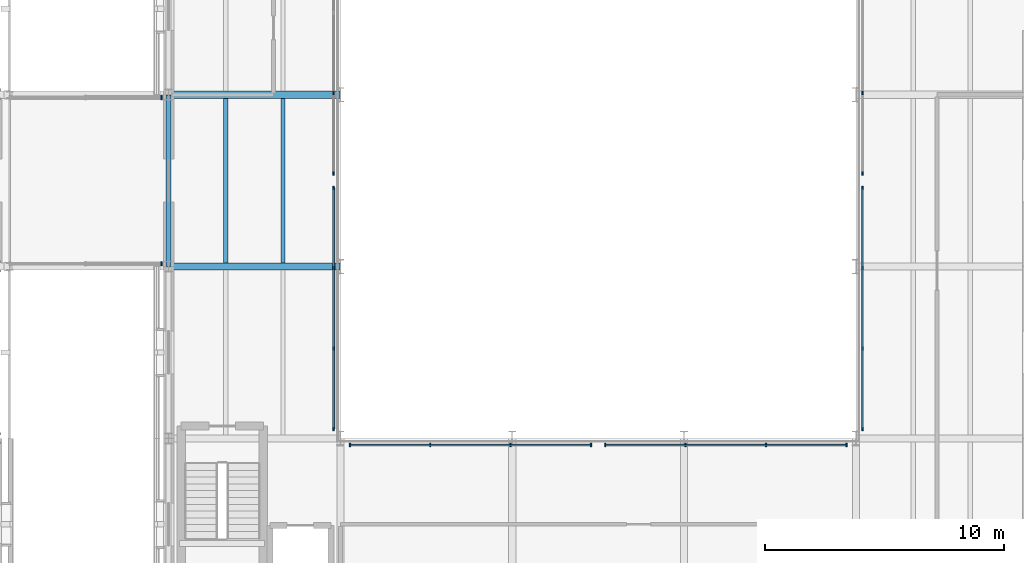
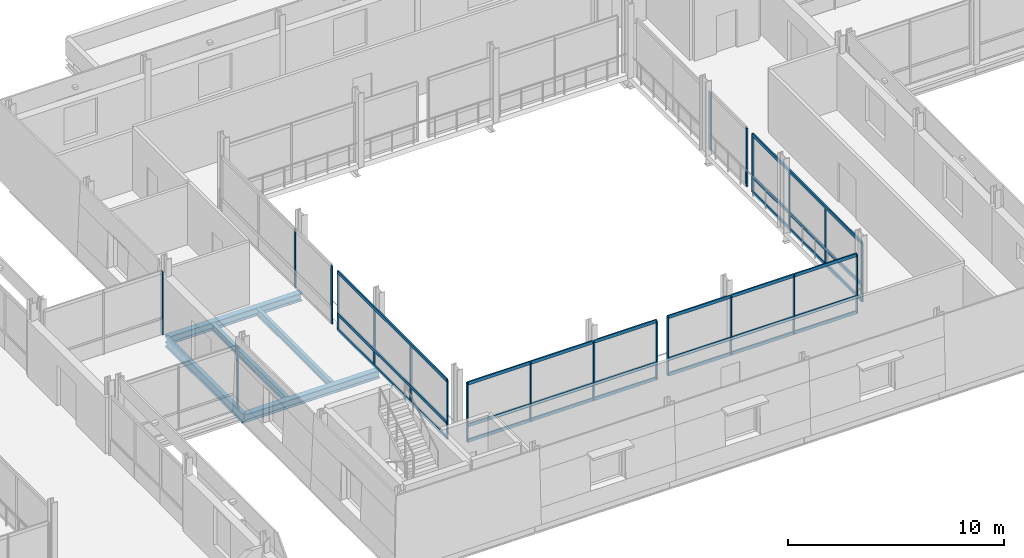
# One storey, part 29 of 115: 34 members, 5 beams, 8 elements without a shape of their own.
"""IFC4 building model written with IfcOpenShell, lengths in metres."""

from ifc_helpers import new_model, si_unit, direction, frame, origin, origin_2d, place, context, subcontext, project, spatial, rectangle, i_section, extrude, material, layer, layer_set, material_profile, profile_set, type_object, element, aggregate, save


model = new_model("IFC4")

# Units and contexts
model_context = context("Model", 3, precision=1e-05, world=origin(), true_north=direction((0.0, 1.0)))
body_context = subcontext(model_context, "Body", "Model", "MODEL_VIEW")
ifc_project = project(units=[si_unit("LENGTHUNIT", "METRE"), si_unit("AREAUNIT", "SQUARE_METRE"), si_unit("VOLUMEUNIT", "CUBIC_METRE"), si_unit("PLANEANGLEUNIT", "RADIAN"), si_unit("MASSUNIT", "GRAM", prefix="KILO")], contexts=[model_context])

# Site, building, storey
site_placement = place(None, origin())
site = spatial("IfcSite", under=ifc_project, at=site_placement, CompositionType="ELEMENT")
building_placement = place(site_placement, origin())
building = spatial("IfcBuilding", under=site, at=building_placement, Name="Narikvali Park Central Library", CompositionType="ELEMENT")
storey_placement = place(building_placement, frame((0.0, 0.0, 10.199951171875)))
storey = spatial("IfcBuildingStorey", under=building, at=storey_placement, Name="L02", CompositionType="ELEMENT", Elevation=10.199951171875)

# Beams
ifc_material_1 = material(Name="Steel S355", Category="steel")
ifc_material_profile_1 = material_profile(ifc_material_1, i_section(OverallWidth=0.300048828125, OverallDepth=0.449951171875, WebThickness=0.013916015625, FlangeThickness=0.02587890625, FilletRadius=0.027099609375, at=origin_2d()), Name="HEB 450")
ifc_profile_set_1 = profile_set([ifc_material_profile_1], Name="Steel S355")
beam_type_1 = type_object("IfcBeamType", Name="Atrium Edge Girder HEB450", PredefinedType="BEAM", material=ifc_profile_set_1)
for number, where, z_axis, x_axis, name in (
    (1, (64.80810546875, 72.0, -0.5048828125), (1.0, 0.0, 0.0), (0.0, 1.0, 0.0), "V1 L02 Girder X"),
    (2, (64.80810546875, 79.199951171875, -0.5048828125), (1.0, 0.0, 0.0), (0.0, 1.0, 0.0), "V1 L02 Girder X"),
):
    element("IfcBeam", number, at=place(storey_placement, frame(where, z_axis=z_axis, x_axis=x_axis)), inside=storey, type_object=beam_type_1, Name=name, PredefinedType="BEAM", context=body_context, shape_type="SweptSolid", body=[
        extrude(i_section(OverallWidth=0.300048828125, OverallDepth=0.449951171875, WebThickness=0.013916015625, FlangeThickness=0.02587890625, FilletRadius=0.027099609375, at=origin_2d()), origin(), (0.0, 0.0, 1.0), 7.183837890625),
    ])

# Curtain wall, members
ifc_material_2 = material(Name="Anodised Bronze Aluminium", Category="aluminium")
ifc_layer_1 = layer(ifc_material_2, 0.219970703125, Name="Anodised Bronze Aluminium")
ifc_layer_set_1 = layer_set([ifc_layer_1], Name="Anodised Bronze Aluminium")
curtain_wall_type_1 = type_object("IfcCurtainWallType", Name="Atrium Tall Curtain Wall System", PredefinedType="NOTDEFINED", material=ifc_layer_set_1)
curtain_wall_1_placement = place(storey_placement, origin())
curtain_wall_1 = element("IfcCurtainWall", 3, at=curtain_wall_1_placement, inside=storey, type_object=curtain_wall_type_1, Name="Atrium Tall Curtain Wall System CW-INT-V1-L02-W1", PredefinedType="NOTDEFINED")
ifc_material_profile_2 = material_profile(ifc_material_2, rectangle(XDim=0.074951171875, YDim=0.179931640625, at=origin_2d()), Name="CW TRANSOM 75x180")
ifc_profile_set_2 = profile_set([ifc_material_profile_2], Name="Anodised Bronze Aluminium")
member_type_1 = type_object("IfcMemberType", Name="Curtain Wall Heavy Transom 75x180", PredefinedType="USERDEFINED", material=ifc_profile_set_2)
member_1_placement = place(storey_placement, frame((71.719970703125, 65.199951171875, 0.030029296875), z_axis=(0.0, 1.0, 0.0), x_axis=(-1.0, 0.0, 0.0)))
member_1 = element("IfcMember", 4, at=member_1_placement, type_object=member_type_1, Name="CW-INT-V1-L02-W1 Transom 00", ObjectType="TRANSOM", PredefinedType="USERDEFINED", context=body_context, shape_type="SweptSolid", body=[
    extrude(rectangle(XDim=0.074951171875, YDim=0.179931640625, at=origin_2d()), origin(), (0.0, 0.0, 1.0), 10.10009765625),
])
member_2_placement = place(storey_placement, frame((71.719970703125, 65.199951171875, 0.900146484375), z_axis=(0.0, 1.0, 0.0), x_axis=(-1.0, 0.0, 0.0)))
member_2 = element("IfcMember", 5, at=member_2_placement, type_object=member_type_1, Name="CW-INT-V1-L02-W1 Transom 01", ObjectType="TRANSOM", PredefinedType="USERDEFINED", context=body_context, shape_type="SweptSolid", body=[
    extrude(rectangle(XDim=0.074951171875, YDim=0.179931640625, at=origin_2d()), origin(), (0.0, 0.0, 1.0), 10.10009765625),
])
member_3_placement = place(storey_placement, frame((71.719970703125, 65.199951171875, 3.27001953125), z_axis=(0.0, 1.0, 0.0), x_axis=(-1.0, 0.0, 0.0)))
member_3 = element("IfcMember", 6, at=member_3_placement, type_object=member_type_1, Name="CW-INT-V1-L02-W1 Transom 02", ObjectType="TRANSOM", PredefinedType="USERDEFINED", context=body_context, shape_type="SweptSolid", body=[
    extrude(rectangle(XDim=0.074951171875, YDim=0.179931640625, at=origin_2d()), origin(), (0.0, 0.0, 1.0), 10.10009765625),
])

curtain_wall_2_placement = place(storey_placement, origin())
curtain_wall_2 = element("IfcCurtainWall", 7, at=curtain_wall_2_placement, inside=storey, type_object=curtain_wall_type_1, Name="Atrium Tall Curtain Wall System CW-INT-V1-L02-E1", PredefinedType="NOTDEFINED")
member_4_placement = place(storey_placement, frame((93.8798828125, 65.199951171875, 0.030029296875), z_axis=(0.0, 1.0, 0.0), x_axis=(-1.0, 0.0, 0.0)))
member_4 = element("IfcMember", 8, at=member_4_placement, type_object=member_type_1, Name="CW-INT-V1-L02-E1 Transom 00", ObjectType="TRANSOM", PredefinedType="USERDEFINED", context=body_context, shape_type="SweptSolid", body=[
    extrude(rectangle(XDim=0.074951171875, YDim=0.179931640625, at=origin_2d()), origin(), (0.0, 0.0, 1.0), 10.10009765625),
])
member_5_placement = place(storey_placement, frame((93.8798828125, 65.199951171875, 0.900146484375), z_axis=(0.0, 1.0, 0.0), x_axis=(-1.0, 0.0, 0.0)))
member_5 = element("IfcMember", 9, at=member_5_placement, type_object=member_type_1, Name="CW-INT-V1-L02-E1 Transom 01", ObjectType="TRANSOM", PredefinedType="USERDEFINED", context=body_context, shape_type="SweptSolid", body=[
    extrude(rectangle(XDim=0.074951171875, YDim=0.179931640625, at=origin_2d()), origin(), (0.0, 0.0, 1.0), 10.10009765625),
])
member_6_placement = place(storey_placement, frame((93.8798828125, 65.199951171875, 3.27001953125), z_axis=(0.0, 1.0, 0.0), x_axis=(-1.0, 0.0, 0.0)))
member_6 = element("IfcMember", 10, at=member_6_placement, type_object=member_type_1, Name="CW-INT-V1-L02-E1 Transom 02", ObjectType="TRANSOM", PredefinedType="USERDEFINED", context=body_context, shape_type="SweptSolid", body=[
    extrude(rectangle(XDim=0.074951171875, YDim=0.179931640625, at=origin_2d()), origin(), (0.0, 0.0, 1.0), 10.10009765625),
])

curtain_wall_3_placement = place(storey_placement, origin())
curtain_wall_3 = element("IfcCurtainWall", 11, at=curtain_wall_3_placement, inside=storey, type_object=curtain_wall_type_1, Name="Atrium Tall Curtain Wall System CW-INT-V1-L02-S1", PredefinedType="NOTDEFINED")
member_7_placement = place(storey_placement, frame((72.39990234375, 64.52001953125, 0.030029296875), z_axis=(1.0, 0.0, 0.0), x_axis=(0.0, 1.0, 0.0)))
member_7 = element("IfcMember", 12, at=member_7_placement, type_object=member_type_1, Name="CW-INT-V1-L02-S1 Transom 00", ObjectType="TRANSOM", PredefinedType="USERDEFINED", context=body_context, shape_type="SweptSolid", body=[
    extrude(rectangle(XDim=0.074951171875, YDim=0.179931640625, at=origin_2d()), origin(), (0.0, 0.0, 1.0), 10.10009765625),
])
member_8_placement = place(storey_placement, frame((72.39990234375, 64.52001953125, 0.900146484375), z_axis=(1.0, 0.0, 0.0), x_axis=(0.0, 1.0, 0.0)))
member_8 = element("IfcMember", 13, at=member_8_placement, type_object=member_type_1, Name="CW-INT-V1-L02-S1 Transom 01", ObjectType="TRANSOM", PredefinedType="USERDEFINED", context=body_context, shape_type="SweptSolid", body=[
    extrude(rectangle(XDim=0.074951171875, YDim=0.179931640625, at=origin_2d()), origin(), (0.0, 0.0, 1.0), 10.10009765625),
])
member_9_placement = place(storey_placement, frame((72.39990234375, 64.52001953125, 3.27001953125), z_axis=(1.0, 0.0, 0.0), x_axis=(0.0, 1.0, 0.0)))
member_9 = element("IfcMember", 14, at=member_9_placement, type_object=member_type_1, Name="CW-INT-V1-L02-S1 Transom 02", ObjectType="TRANSOM", PredefinedType="USERDEFINED", context=body_context, shape_type="SweptSolid", body=[
    extrude(rectangle(XDim=0.074951171875, YDim=0.179931640625, at=origin_2d()), origin(), (0.0, 0.0, 1.0), 10.10009765625),
])

curtain_wall_4_placement = place(storey_placement, origin())
curtain_wall_4 = element("IfcCurtainWall", 15, at=curtain_wall_4_placement, inside=storey, type_object=curtain_wall_type_1, Name="Atrium Tall Curtain Wall System CW-INT-V1-L02-S2", PredefinedType="NOTDEFINED")
member_10_placement = place(storey_placement, frame((83.10009765625, 64.52001953125, 0.030029296875), z_axis=(1.0, 0.0, 0.0), x_axis=(0.0, 1.0, 0.0)))
member_10 = element("IfcMember", 16, at=member_10_placement, type_object=member_type_1, Name="CW-INT-V1-L02-S2 Transom 00", ObjectType="TRANSOM", PredefinedType="USERDEFINED", context=body_context, shape_type="SweptSolid", body=[
    extrude(rectangle(XDim=0.074951171875, YDim=0.179931640625, at=origin_2d()), origin(), (0.0, 0.0, 1.0), 10.099853515625),
])
member_11_placement = place(storey_placement, frame((83.10009765625, 64.52001953125, 0.900146484375), z_axis=(1.0, 0.0, 0.0), x_axis=(0.0, 1.0, 0.0)))
member_11 = element("IfcMember", 17, at=member_11_placement, type_object=member_type_1, Name="CW-INT-V1-L02-S2 Transom 01", ObjectType="TRANSOM", PredefinedType="USERDEFINED", context=body_context, shape_type="SweptSolid", body=[
    extrude(rectangle(XDim=0.074951171875, YDim=0.179931640625, at=origin_2d()), origin(), (0.0, 0.0, 1.0), 10.099853515625),
])
member_12_placement = place(storey_placement, frame((83.10009765625, 64.52001953125, 3.27001953125), z_axis=(1.0, 0.0, 0.0), x_axis=(0.0, 1.0, 0.0)))
member_12 = element("IfcMember", 18, at=member_12_placement, type_object=member_type_1, Name="CW-INT-V1-L02-S2 Transom 02", ObjectType="TRANSOM", PredefinedType="USERDEFINED", context=body_context, shape_type="SweptSolid", body=[
    extrude(rectangle(XDim=0.074951171875, YDim=0.179931640625, at=origin_2d()), origin(), (0.0, 0.0, 1.0), 10.099853515625),
])

# Member
ifc_material_profile_3 = material_profile(ifc_material_2, rectangle(XDim=0.06005859375, YDim=0.14990234375, at=origin_2d()), Name="CW MULLION 60x150")
ifc_profile_set_3 = profile_set([ifc_material_profile_3], Name="Anodised Bronze Aluminium")
member_type_2 = type_object("IfcMemberType", Name="Curtain Wall Mullion 60x150", PredefinedType="MULLION", material=ifc_profile_set_3)
member_13_placement = place(storey_placement, frame((71.719970703125, 65.199951171875, -0.010009765625), z_axis=(0.0, 0.0, 1.0), x_axis=(1.0, 0.0, 0.0)))
member_13 = element("IfcMember", 19, at=member_13_placement, type_object=member_type_2, Name="CW-INT-V1-L02-W1 Mullion 00", PredefinedType="MULLION", context=body_context, shape_type="SweptSolid", body=[
    extrude(rectangle(XDim=0.06005859375, YDim=0.14990234375, at=origin_2d()), origin(), (0.0, 0.0, 1.0), 3.31005859375),
])

member_14_placement = place(storey_placement, frame((71.719970703125, 68.566650390625, -0.010009765625), z_axis=(0.0, 0.0, 1.0), x_axis=(1.0, 0.0, 0.0)))
member_14 = element("IfcMember", 20, at=member_14_placement, type_object=member_type_2, Name="CW-INT-V1-L02-W1 Mullion 01", PredefinedType="MULLION", context=body_context, shape_type="SweptSolid", body=[
    extrude(rectangle(XDim=0.06005859375, YDim=0.14990234375, at=origin_2d()), origin(), (0.0, 0.0, 1.0), 3.31005859375),
])

member_15_placement = place(storey_placement, frame((71.719970703125, 71.933349609375, -0.010009765625), z_axis=(0.0, 0.0, 1.0), x_axis=(1.0, 0.0, 0.0)))
member_15 = element("IfcMember", 21, at=member_15_placement, type_object=member_type_2, Name="CW-INT-V1-L02-W1 Mullion 02", PredefinedType="MULLION", context=body_context, shape_type="SweptSolid", body=[
    extrude(rectangle(XDim=0.06005859375, YDim=0.14990234375, at=origin_2d()), origin(), (0.0, 0.0, 1.0), 3.31005859375),
])

member_16_placement = place(storey_placement, frame((71.719970703125, 75.300048828125, -0.010009765625), z_axis=(0.0, 0.0, 1.0), x_axis=(1.0, 0.0, 0.0)))
member_16 = element("IfcMember", 22, at=member_16_placement, type_object=member_type_2, Name="CW-INT-V1-L02-W1 Mullion 03", PredefinedType="MULLION", context=body_context, shape_type="SweptSolid", body=[
    extrude(rectangle(XDim=0.06005859375, YDim=0.14990234375, at=origin_2d()), origin(), (0.0, 0.0, 1.0), 3.31005859375),
])

aggregate(curtain_wall_1, [member_13, member_14, member_15, member_16, member_1, member_2, member_3])

# Curtain wall, members
curtain_wall_5_placement = place(storey_placement, origin())
curtain_wall_5 = element("IfcCurtainWall", 23, at=curtain_wall_5_placement, inside=storey, type_object=curtain_wall_type_1, Name="Atrium Tall Curtain Wall System CW-INT-V1-L02-W2", PredefinedType="NOTDEFINED")
member_17_placement = place(storey_placement, frame((71.719970703125, 75.89990234375, -0.010009765625), z_axis=(0.0, 0.0, 1.0), x_axis=(1.0, 0.0, 0.0)))
member_17 = element("IfcMember", 24, at=member_17_placement, type_object=member_type_2, Name="CW-INT-V1-L02-W2 Mullion 00", PredefinedType="MULLION", context=body_context, shape_type="SweptSolid", body=[
    extrude(rectangle(XDim=0.06005859375, YDim=0.14990234375, at=origin_2d()), origin(), (0.0, 0.0, 1.0), 3.31005859375),
])
member_18_placement = place(storey_placement, frame((71.719970703125, 79.2666015625, -0.010009765625), z_axis=(0.0, 0.0, 1.0), x_axis=(1.0, 0.0, 0.0)))
member_18 = element("IfcMember", 25, at=member_18_placement, type_object=member_type_2, Name="CW-INT-V1-L02-W2 Mullion 01", PredefinedType="MULLION", context=body_context, shape_type="SweptSolid", body=[
    extrude(rectangle(XDim=0.06005859375, YDim=0.14990234375, at=origin_2d()), origin(), (0.0, 0.0, 1.0), 3.31005859375),
])
aggregate(curtain_wall_5, [member_17, member_18])

# Member
member_19_placement = place(storey_placement, frame((93.8798828125, 65.199951171875, -0.010009765625), z_axis=(0.0, 0.0, 1.0), x_axis=(1.0, 0.0, 0.0)))
member_19 = element("IfcMember", 26, at=member_19_placement, type_object=member_type_2, Name="CW-INT-V1-L02-E1 Mullion 00", PredefinedType="MULLION", context=body_context, shape_type="SweptSolid", body=[
    extrude(rectangle(XDim=0.06005859375, YDim=0.14990234375, at=origin_2d()), origin(), (0.0, 0.0, 1.0), 3.31005859375),
])

member_20_placement = place(storey_placement, frame((93.8798828125, 68.566650390625, -0.010009765625), z_axis=(0.0, 0.0, 1.0), x_axis=(1.0, 0.0, 0.0)))
member_20 = element("IfcMember", 27, at=member_20_placement, type_object=member_type_2, Name="CW-INT-V1-L02-E1 Mullion 01", PredefinedType="MULLION", context=body_context, shape_type="SweptSolid", body=[
    extrude(rectangle(XDim=0.06005859375, YDim=0.14990234375, at=origin_2d()), origin(), (0.0, 0.0, 1.0), 3.31005859375),
])

member_21_placement = place(storey_placement, frame((93.8798828125, 71.933349609375, -0.010009765625), z_axis=(0.0, 0.0, 1.0), x_axis=(1.0, 0.0, 0.0)))
member_21 = element("IfcMember", 28, at=member_21_placement, type_object=member_type_2, Name="CW-INT-V1-L02-E1 Mullion 02", PredefinedType="MULLION", context=body_context, shape_type="SweptSolid", body=[
    extrude(rectangle(XDim=0.06005859375, YDim=0.14990234375, at=origin_2d()), origin(), (0.0, 0.0, 1.0), 3.31005859375),
])

member_22_placement = place(storey_placement, frame((93.8798828125, 75.300048828125, -0.010009765625), z_axis=(0.0, 0.0, 1.0), x_axis=(1.0, 0.0, 0.0)))
member_22 = element("IfcMember", 29, at=member_22_placement, type_object=member_type_2, Name="CW-INT-V1-L02-E1 Mullion 03", PredefinedType="MULLION", context=body_context, shape_type="SweptSolid", body=[
    extrude(rectangle(XDim=0.06005859375, YDim=0.14990234375, at=origin_2d()), origin(), (0.0, 0.0, 1.0), 3.31005859375),
])

aggregate(curtain_wall_2, [member_19, member_20, member_21, member_22, member_4, member_5, member_6])

# Curtain wall, members
curtain_wall_6_placement = place(storey_placement, origin())
curtain_wall_6 = element("IfcCurtainWall", 30, at=curtain_wall_6_placement, inside=storey, type_object=curtain_wall_type_1, Name="Atrium Tall Curtain Wall System CW-INT-V1-L02-E2", PredefinedType="NOTDEFINED")
member_23_placement = place(storey_placement, frame((93.8798828125, 75.89990234375, -0.010009765625), z_axis=(0.0, 0.0, 1.0), x_axis=(1.0, 0.0, 0.0)))
member_23 = element("IfcMember", 31, at=member_23_placement, type_object=member_type_2, Name="CW-INT-V1-L02-E2 Mullion 00", PredefinedType="MULLION", context=body_context, shape_type="SweptSolid", body=[
    extrude(rectangle(XDim=0.06005859375, YDim=0.14990234375, at=origin_2d()), origin(), (0.0, 0.0, 1.0), 3.31005859375),
])
member_24_placement = place(storey_placement, frame((93.8798828125, 79.2666015625, -0.010009765625), z_axis=(0.0, 0.0, 1.0), x_axis=(1.0, 0.0, 0.0)))
member_24 = element("IfcMember", 32, at=member_24_placement, type_object=member_type_2, Name="CW-INT-V1-L02-E2 Mullion 01", PredefinedType="MULLION", context=body_context, shape_type="SweptSolid", body=[
    extrude(rectangle(XDim=0.06005859375, YDim=0.14990234375, at=origin_2d()), origin(), (0.0, 0.0, 1.0), 3.31005859375),
])
aggregate(curtain_wall_6, [member_23, member_24])

# Member
member_25_placement = place(storey_placement, frame((72.39990234375, 64.52001953125, -0.010009765625), z_axis=(0.0, 0.0, 1.0), x_axis=(1.0, 0.0, 0.0)))
member_25 = element("IfcMember", 33, at=member_25_placement, type_object=member_type_2, Name="CW-INT-V1-L02-S1 Mullion 00", PredefinedType="MULLION", context=body_context, shape_type="SweptSolid", body=[
    extrude(rectangle(XDim=0.06005859375, YDim=0.14990234375, at=origin_2d()), origin(), (0.0, 0.0, 1.0), 3.31005859375),
])

member_26_placement = place(storey_placement, frame((75.7666015625, 64.52001953125, -0.010009765625), z_axis=(0.0, 0.0, 1.0), x_axis=(1.0, 0.0, 0.0)))
member_26 = element("IfcMember", 34, at=member_26_placement, type_object=member_type_2, Name="CW-INT-V1-L02-S1 Mullion 01", PredefinedType="MULLION", context=body_context, shape_type="SweptSolid", body=[
    extrude(rectangle(XDim=0.06005859375, YDim=0.14990234375, at=origin_2d()), origin(), (0.0, 0.0, 1.0), 3.31005859375),
])

member_27_placement = place(storey_placement, frame((79.13330078125, 64.52001953125, -0.010009765625), z_axis=(0.0, 0.0, 1.0), x_axis=(1.0, 0.0, 0.0)))
member_27 = element("IfcMember", 35, at=member_27_placement, type_object=member_type_2, Name="CW-INT-V1-L02-S1 Mullion 02", PredefinedType="MULLION", context=body_context, shape_type="SweptSolid", body=[
    extrude(rectangle(XDim=0.06005859375, YDim=0.14990234375, at=origin_2d()), origin(), (0.0, 0.0, 1.0), 3.31005859375),
])

member_28_placement = place(storey_placement, frame((82.5, 64.52001953125, -0.010009765625), z_axis=(0.0, 0.0, 1.0), x_axis=(1.0, 0.0, 0.0)))
member_28 = element("IfcMember", 36, at=member_28_placement, type_object=member_type_2, Name="CW-INT-V1-L02-S1 Mullion 03", PredefinedType="MULLION", context=body_context, shape_type="SweptSolid", body=[
    extrude(rectangle(XDim=0.06005859375, YDim=0.14990234375, at=origin_2d()), origin(), (0.0, 0.0, 1.0), 3.31005859375),
])

aggregate(curtain_wall_3, [member_25, member_26, member_27, member_28, member_7, member_8, member_9])

member_29_placement = place(storey_placement, frame((83.10009765625, 64.52001953125, -0.010009765625), z_axis=(0.0, 0.0, 1.0), x_axis=(1.0, 0.0, 0.0)))
member_29 = element("IfcMember", 37, at=member_29_placement, type_object=member_type_2, Name="CW-INT-V1-L02-S2 Mullion 00", PredefinedType="MULLION", context=body_context, shape_type="SweptSolid", body=[
    extrude(rectangle(XDim=0.06005859375, YDim=0.14990234375, at=origin_2d()), origin(), (0.0, 0.0, 1.0), 3.31005859375),
])

member_30_placement = place(storey_placement, frame((86.466796875, 64.52001953125, -0.010009765625), z_axis=(0.0, 0.0, 1.0), x_axis=(1.0, 0.0, 0.0)))
member_30 = element("IfcMember", 38, at=member_30_placement, type_object=member_type_2, Name="CW-INT-V1-L02-S2 Mullion 01", PredefinedType="MULLION", context=body_context, shape_type="SweptSolid", body=[
    extrude(rectangle(XDim=0.06005859375, YDim=0.14990234375, at=origin_2d()), origin(), (0.0, 0.0, 1.0), 3.31005859375),
])

member_31_placement = place(storey_placement, frame((89.833251953125, 64.52001953125, -0.010009765625), z_axis=(0.0, 0.0, 1.0), x_axis=(1.0, 0.0, 0.0)))
member_31 = element("IfcMember", 39, at=member_31_placement, type_object=member_type_2, Name="CW-INT-V1-L02-S2 Mullion 02", PredefinedType="MULLION", context=body_context, shape_type="SweptSolid", body=[
    extrude(rectangle(XDim=0.06005859375, YDim=0.14990234375, at=origin_2d()), origin(), (0.0, 0.0, 1.0), 3.31005859375),
])

member_32_placement = place(storey_placement, frame((93.199951171875, 64.52001953125, -0.010009765625), z_axis=(0.0, 0.0, 1.0), x_axis=(1.0, 0.0, 0.0)))
member_32 = element("IfcMember", 40, at=member_32_placement, type_object=member_type_2, Name="CW-INT-V1-L02-S2 Mullion 03", PredefinedType="MULLION", context=body_context, shape_type="SweptSolid", body=[
    extrude(rectangle(XDim=0.06005859375, YDim=0.14990234375, at=origin_2d()), origin(), (0.0, 0.0, 1.0), 3.31005859375),
])

aggregate(curtain_wall_4, [member_29, member_30, member_31, member_32, member_10, member_11, member_12])

# Curtain wall, member
ifc_layer_2 = layer(ifc_material_2, 0.219970703125, Name="Anodised Bronze Aluminium")
ifc_layer_set_2 = layer_set([ifc_layer_2], Name="Anodised Bronze Aluminium")
curtain_wall_type_2 = type_object("IfcCurtainWallType", Name="Bridge Covered Passage Glazing System", PredefinedType="NOTDEFINED", material=ifc_layer_set_2)
curtain_wall_7_placement = place(storey_placement, origin())
curtain_wall_7 = element("IfcCurtainWall", 41, at=curtain_wall_7_placement, inside=storey, type_object=curtain_wall_type_2, Name="Bridge Covered Passage Glazing System CW-BRG-2-L02-S1", PredefinedType="NOTDEFINED")
ifc_material_profile_4 = material_profile(ifc_material_2, rectangle(XDim=0.06494140625, YDim=0.179931640625, at=origin_2d()), Name="CW MULLION 65x180")
ifc_profile_set_4 = profile_set([ifc_material_profile_4], Name="Anodised Bronze Aluminium")
member_type_3 = type_object("IfcMemberType", Name="Curtain Wall Mullion 65x180", PredefinedType="MULLION", material=ifc_profile_set_4)
member_33_placement = place(storey_placement, frame((64.5, 72.1201171875, -0.010009765625), z_axis=(0.0, 0.0, 1.0), x_axis=(1.0, 0.0, 0.0)))
member_33 = element("IfcMember", 42, at=member_33_placement, type_object=member_type_3, Name="CW-BRG-2-L02-S1 Mullion 02", PredefinedType="MULLION", context=body_context, shape_type="SweptSolid", body=[
    extrude(rectangle(XDim=0.06494140625, YDim=0.179931640625, at=origin_2d()), origin(), (0.0, 0.0, 1.0), 3.56005859375),
])
aggregate(curtain_wall_7, [member_33])

curtain_wall_8_placement = place(storey_placement, origin())
curtain_wall_8 = element("IfcCurtainWall", 43, at=curtain_wall_8_placement, inside=storey, type_object=curtain_wall_type_2, Name="Bridge Covered Passage Glazing System CW-BRG-2-L02-N1", PredefinedType="NOTDEFINED")
member_34_placement = place(storey_placement, frame((64.5, 79.080078125, -0.010009765625), z_axis=(0.0, 0.0, 1.0), x_axis=(1.0, 0.0, 0.0)))
member_34 = element("IfcMember", 44, at=member_34_placement, type_object=member_type_3, Name="CW-BRG-2-L02-N1 Mullion 02", PredefinedType="MULLION", context=body_context, shape_type="SweptSolid", body=[
    extrude(rectangle(XDim=0.06494140625, YDim=0.179931640625, at=origin_2d()), origin(), (0.0, 0.0, 1.0), 3.56005859375),
])
aggregate(curtain_wall_8, [member_34])

# Beams
ifc_material_profile_5 = material_profile(ifc_material_1, i_section(OverallWidth=0.181884765625, OverallDepth=0.404052734375, WebThickness=0.009765625, FlangeThickness=0.015380859375, FilletRadius=0.02099609375, at=origin_2d()), Name="IPEO 400")
ifc_profile_set_5 = profile_set([ifc_material_profile_5], Name="Steel S355")
beam_type_2 = type_object("IfcBeamType", Name="Gallery Floor Joist IPEO400", PredefinedType="JOIST", material=ifc_profile_set_5)
for number, where, z_axis, x_axis, name in (
    (45, (67.199951171875, 72.14990234375, -0.48193359375), (0.0, 1.0, 0.0), (-1.0, 0.0, 0.0), "V1 L02 Composite Joist 1"),
    (46, (69.60009765625, 72.14990234375, -0.48193359375), (0.0, 1.0, 0.0), (-1.0, 0.0, 0.0), "V1 L02 Composite Joist 2"),
):
    element("IfcBeam", number, at=place(storey_placement, frame(where, z_axis=z_axis, x_axis=x_axis)), inside=storey, type_object=beam_type_2, Name=name, PredefinedType="JOIST", context=body_context, shape_type="SweptSolid", body=[
        extrude(i_section(OverallWidth=0.181884765625, OverallDepth=0.404052734375, WebThickness=0.009765625, FlangeThickness=0.015380859375, FilletRadius=0.02099609375, at=origin_2d()), origin(), (0.0, 0.0, 1.0), 6.900146484375),
    ])
ifc_material_profile_6 = material_profile(ifc_material_1, i_section(OverallWidth=0.2099609375, OverallDepth=0.550048828125, WebThickness=0.010986328125, FlangeThickness=0.01708984375, FilletRadius=0.02392578125, at=origin_2d()), Name="IPE 550")
ifc_profile_set_6 = profile_set([ifc_material_profile_6], Name="Steel S355")
beam_type_3 = type_object("IfcBeamType", Name="Perimeter Spandrel IPE550", PredefinedType="SPANDREL", material=ifc_profile_set_6)
beam_placement = place(storey_placement, frame((64.800048828125, 72.008056640625, -0.554931640625), z_axis=(0.0, 1.0, 0.0), x_axis=(-1.0, 0.0, 0.0)))
element("IfcBeam", 47, at=beam_placement, inside=storey, type_object=beam_type_3, Name="V1 L02 Girder Y", PredefinedType="SPANDREL", context=body_context, shape_type="SweptSolid", body=[
    extrude(i_section(OverallWidth=0.2099609375, OverallDepth=0.550048828125, WebThickness=0.010986328125, FlangeThickness=0.01708984375, FilletRadius=0.02392578125, at=origin_2d()), origin(), (0.0, 0.0, 1.0), 7.183837890625),
])

save(model, "model.ifc")
